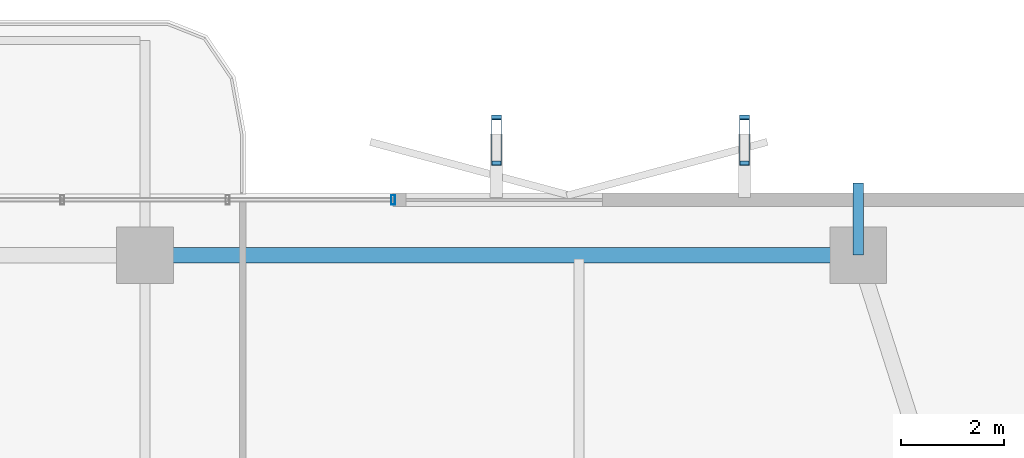
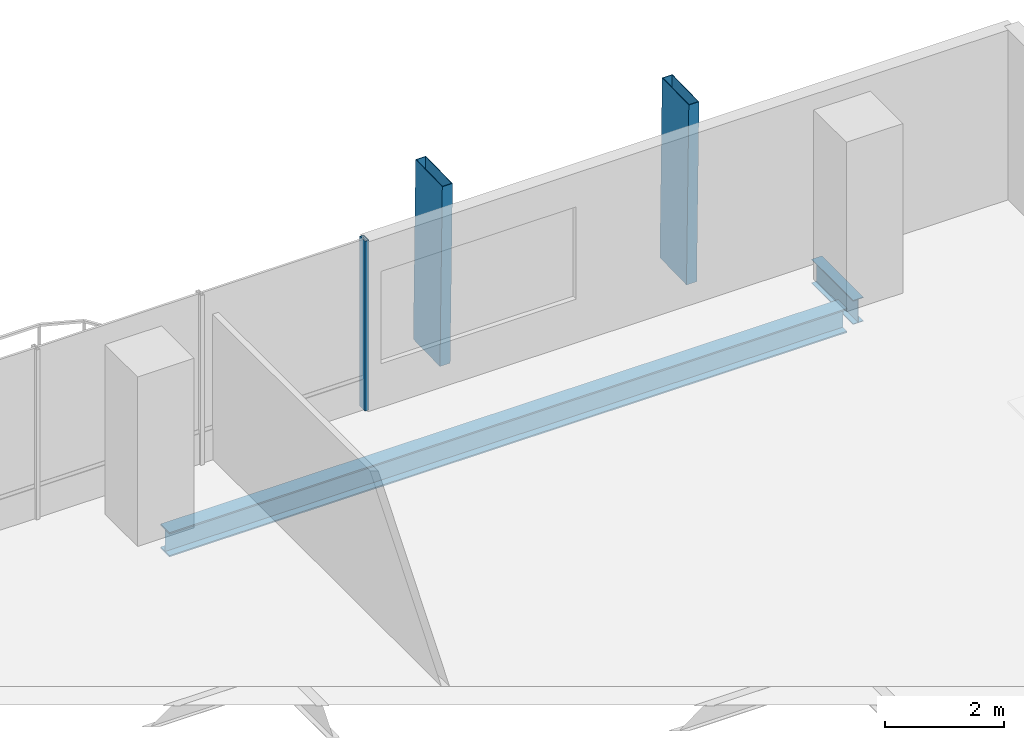
# One storey, part 16 of 24: 3 members, 2 beams, 1 element without a shape of its own.
"""IFC4 building model written with IfcOpenShell, lengths in metres."""

import ifcopenshell
import ifcopenshell.guid

model = None  # the IFC model being written
_history = None  # IfcOwnerHistory: only IFC2X3 demands one
_inside = {}  # id of a spatial element -> (the spatial element, [elements in it])
_under = {}  # id of a project, library or spatial element -> (it, [spatial elements below it])
_declared = {}  # id of a project -> (the project, [libraries it declares])
_typed = {}  # id of a type object -> (the type object, [elements of that type])
_made_of = {}  # id of a material, layer set ... -> (it, [elements and type objects made of it])


def new_model(schema):
    """Start an empty IFC model of exactly this schema.

    Asked for "IFC4X3", IfcOpenShell would pick the latest addendum, in which some entities
    have other attributes; the version numbers below select the first issue.
    IFC2X3 requires an IfcOwnerHistory on every rooted entity: one is made here for all.
    """
    global model, _history
    if schema == "IFC4X3":
        model = ifcopenshell.file(schema_version=(4, 3, 0, 0))
    else:
        model = ifcopenshell.file(schema=schema)
    _inside.clear()
    _under.clear()
    _declared.clear()
    _typed.clear()
    _made_of.clear()
    _history = None
    if model.schema == "IFC2X3":
        org = make("IfcOrganization", Name="unknown")
        user = make(
            "IfcPersonAndOrganization",
            ThePerson=make("IfcPerson", FamilyName="unknown"),
            TheOrganization=org,
        )
        app = make(
            "IfcApplication",
            ApplicationDeveloper=org,
            Version="unknown",
            ApplicationFullName="unknown",
            ApplicationIdentifier="unknown",
        )
        _history = make(
            "IfcOwnerHistory",
            OwningUser=user,
            OwningApplication=app,
            ChangeAction="ADDED",
            CreationDate=0,
        )
    return model


def make(cls, **values):
    """One entity of the class cls with the attributes given. An attribute that is None is left unset."""
    return model.create_entity(
        cls, **{name: value for name, value in values.items() if value is not None}
    )


def rooted(cls, **values):
    """An entity with a GlobalId (a new one), such as an element, a storey or a relation."""
    return make(cls, GlobalId=ifcopenshell.guid.new(), OwnerHistory=_history, **values)


def si_unit(unit_type, name, prefix=None):
    """IfcSIUnit, for example si_unit("LENGTHUNIT", "METRE", prefix="MILLI")."""
    return make("IfcSIUnit", UnitType=unit_type, Prefix=prefix, Name=name)


def assignment(units):
    """IfcUnitAssignment: the units of a project."""
    return None if units is None else make("IfcUnitAssignment", Units=units)


def point(xyz):
    """IfcCartesianPoint."""
    return None if xyz is None else make("IfcCartesianPoint", Coordinates=xyz)


def direction(xyz):
    """IfcDirection."""
    return None if xyz is None else make("IfcDirection", DirectionRatios=xyz)


def frame(location, z_axis=None, x_axis=None):
    """IfcAxis2Placement3D, a coordinate frame: its origin and axes. An axis left out is left unset."""
    return make(
        "IfcAxis2Placement3D",
        Location=point(location),
        Axis=direction(z_axis),
        RefDirection=direction(x_axis),
    )


def frame_2d(location, x_axis=None):
    """IfcAxis2Placement2D, a coordinate frame in the plane: its origin and x axis."""
    return make(
        "IfcAxis2Placement2D", Location=point(location), RefDirection=direction(x_axis)
    )


def origin():
    """The frame at (0, 0, 0) with its axes left unset."""
    return frame((0.0, 0.0, 0.0))


def origin_2d():
    """The frame at (0, 0) in the plane with its x axis left unset."""
    return frame_2d((0.0, 0.0))


def place(relative_to, where):
    """IfcLocalPlacement: puts the frame where relative to a parent placement (None: the world)."""
    return make(
        "IfcLocalPlacement", PlacementRelTo=relative_to, RelativePlacement=where
    )


def context(
    kind, dimensions, precision=None, world=None, true_north=None, identifier=None
):
    """IfcGeometricRepresentationContext, for example the 3D "Model" context."""
    return make(
        "IfcGeometricRepresentationContext",
        ContextIdentifier=identifier,
        ContextType=kind,
        CoordinateSpaceDimension=dimensions,
        Precision=precision,
        WorldCoordinateSystem=world,
        TrueNorth=true_north,
    )


def subcontext(parent, identifier, kind, view, scale=None):
    """IfcGeometricRepresentationSubContext, for example "Body" below "Model"."""
    return make(
        "IfcGeometricRepresentationSubContext",
        ContextIdentifier=identifier,
        ContextType=kind,
        ParentContext=parent,
        TargetScale=scale,
        TargetView=view,
    )


def project(units=None, contexts=None):
    """IfcProject with its units and contexts."""
    return rooted(
        "IfcProject",
        Name="project",
        RepresentationContexts=contexts,
        UnitsInContext=assignment(units),
    )


def spatial(cls, under=None, at=None, **own):
    """A site, building, storey or space (cls), placed at a placement, below another one or the project."""
    s = rooted(cls, ObjectPlacement=at, **own)
    if under is not None:
        _under.setdefault(under.id(), (under, []))[1].append(s)
    return s


def profile(cls, at=None, kind="AREA", **sizes):
    """A parametric profile (cls). Its sizes go by their IFC names, for example OverallWidth=200.0."""
    return make(cls, ProfileType=kind, Position=at, **sizes)


def hollow_rectangle(**sizes):
    """IfcRectangleHollowProfileDef."""
    return profile("IfcRectangleHollowProfileDef", **sizes)


def i_section(**sizes):
    """IfcIShapeProfileDef."""
    return profile("IfcIShapeProfileDef", **sizes)


def extrude(swept, where, along, depth):
    """IfcExtrudedAreaSolid: the profile swept, set in the frame where, extruded along a direction by depth."""
    return make(
        "IfcExtrudedAreaSolid",
        SweptArea=swept,
        Position=where,
        ExtrudedDirection=direction(along),
        Depth=depth,
    )


def shape(context_of_items, identifier, shape_type, items):
    """IfcShapeRepresentation: the items that make up one representation, for example the "Body"."""
    return make(
        "IfcShapeRepresentation",
        ContextOfItems=context_of_items,
        RepresentationIdentifier=identifier,
        RepresentationType=shape_type,
        Items=items,
    )


def material(Name=None, Category=None):
    """IfcMaterial."""
    return make("IfcMaterial", Name=Name, Category=Category)


def layer(
    of_material, thickness, ventilated=None, Name=None, Category=None, Priority=None
):
    """IfcMaterialLayer: one layer of a wall or slab, of a material (None: an air gap)."""
    return make(
        "IfcMaterialLayer",
        Material=of_material,
        LayerThickness=thickness,
        IsVentilated=ventilated,
        Name=Name,
        Category=Category,
        Priority=Priority,
    )


def layer_set(layers, Name=None):
    """IfcMaterialLayerSet."""
    return make("IfcMaterialLayerSet", MaterialLayers=layers, LayerSetName=Name)


def material_profile(
    of_material, cross_section, Name=None, Category=None, Priority=None
):
    """IfcMaterialProfile: a cross section and its material."""
    return make(
        "IfcMaterialProfile",
        Name=Name,
        Material=of_material,
        Profile=cross_section,
        Priority=Priority,
        Category=Category,
    )


def profile_set(profiles, Name=None, composite=None):
    """IfcMaterialProfileSet."""
    return make(
        "IfcMaterialProfileSet",
        Name=Name,
        MaterialProfiles=profiles,
        CompositeProfile=composite,
    )


def made_of(thing, what):
    """Note that an element or type object is made of a material, layer set ...; save() writes the relation."""
    if what is not None:
        _made_of.setdefault(what.id(), (what, []))[1].append(thing)
    return thing


def type_object(cls, material=None, **own):
    """A type object (cls), such as IfcWallType, which elements share."""
    return made_of(rooted(cls, **own), material)


def element(
    cls,
    number,
    at=None,
    inside=None,
    cuts=None,
    type_object=None,
    material=None,
    context=None,
    identifier="Body",
    shape_type=None,
    held_by="IfcProductDefinitionShape",
    body=None,
    shapes=None,
    **own,
):
    """One element of the class cls, such as IfcWall. Its Tag is "e" and its number.

    at: its placement. inside: the storey or other place that contains it. cuts: it is an
    opening in that element (IfcRelVoidsElement). A single representation is given by context,
    identifier, shape_type and body (its items); several are given by shapes. held_by: the class
    of the entity that holds the representations. save() writes the other relations.
    """
    e = rooted(cls, Tag="e%d" % number, ObjectPlacement=at, **own)
    if body is not None:
        shapes = [shape(context, identifier, shape_type, body)]
    if shapes is not None:
        e.Representation = make(held_by, Representations=shapes)
    if inside is not None:
        _inside.setdefault(inside.id(), (inside, []))[1].append(e)
    if cuts is not None:
        rooted(
            "IfcRelVoidsElement", RelatingBuildingElement=cuts, RelatedOpeningElement=e
        )
    if type_object is not None:
        _typed.setdefault(type_object.id(), (type_object, []))[1].append(e)
    return made_of(e, material)


def aggregate(whole, parts):
    """IfcRelAggregates: a whole, such as a stair, and the parts it consists of."""
    return rooted("IfcRelAggregates", RelatingObject=whole, RelatedObjects=parts)


def save(model, path):
    """Write the relations noted so far, then the file.

    IfcRelAggregates (storeys below a building ...), IfcRelContainedInSpatialStructure (elements
    in a storey), IfcRelDefinesByType, IfcRelAssociatesMaterial and IfcRelDeclares: one each for
    every whole, place, type object, material and project.
    """
    for whole, parts in _under.values():
        aggregate(whole, parts)
    for where, things in _inside.values():
        rooted(
            "IfcRelContainedInSpatialStructure",
            RelatedElements=things,
            RelatingStructure=where,
        )
    for kind, things in _typed.values():
        rooted("IfcRelDefinesByType", RelatedObjects=things, RelatingType=kind)
    for what, things in _made_of.values():
        rooted("IfcRelAssociatesMaterial", RelatedObjects=things, RelatingMaterial=what)
    for by, libraries in _declared.values():
        rooted("IfcRelDeclares", RelatingContext=by, RelatedDefinitions=libraries)
    model.write(path)


model = new_model("IFC4")

# Units and contexts
model_context = context("Model", 3, precision=1e-05, world=origin(), true_north=direction((0.0, 1.0)))
body_context = subcontext(model_context, "Body", "Model", "MODEL_VIEW")
ifc_project = project(units=[si_unit("LENGTHUNIT", "METRE"), si_unit("AREAUNIT", "SQUARE_METRE"), si_unit("VOLUMEUNIT", "CUBIC_METRE"), si_unit("PLANEANGLEUNIT", "RADIAN"), si_unit("MASSUNIT", "GRAM", prefix="KILO")], contexts=[model_context])

# Site, building, storey
site_placement = place(None, origin())
site = spatial("IfcSite", under=ifc_project, at=site_placement, CompositionType="ELEMENT")
building_placement = place(site_placement, origin())
building = spatial("IfcBuilding", under=site, at=building_placement, Name="Belovzor Exchange Tower", CompositionType="ELEMENT")
storey_placement = place(building_placement, frame((0.0, 0.0, 168.300048828125)))
storey = spatial("IfcBuildingStorey", under=building, at=storey_placement, Name="L41", CompositionType="ELEMENT", Elevation=168.300048828125)

# Beam
ifc_material_1 = material(Name="Steel S355", Category="steel")
ifc_material_profile_1 = material_profile(ifc_material_1, i_section(OverallWidth=0.199951171875, OverallDepth=0.5, WebThickness=0.01025390625, FlangeThickness=0.01611328125, at=origin_2d()))
ifc_profile_set_1 = profile_set([ifc_material_profile_1], Name="Steel S355")
beam_type_1 = type_object("IfcBeamType", Name="Planted Balcony Cantilever Beam IPE 500", PredefinedType="BEAM", material=ifc_profile_set_1)
beam_1_placement = place(storey_placement, frame((42.60009765625, 51.89990234375, -0.505126953125), z_axis=(0.0, 1.0, 0.0), x_axis=(-1.0, 0.0, 0.0)))
element("IfcBeam", 1, at=beam_1_placement, inside=storey, type_object=beam_type_1, Name="BC-500 Planted Balcony Cantilever Beam IPE 500", PredefinedType="BEAM", context=body_context, shape_type="SweptSolid", body=[
    extrude(i_section(OverallWidth=0.199951171875, OverallDepth=0.5, WebThickness=0.01025390625, FlangeThickness=0.01611328125, at=origin_2d()), origin(), (0.0, 0.0, 1.0), 1.400146484375),
])

# Members
ifc_material_2 = material(Name="Extruded Architectural Terracotta on Steel S355 Carrier", Category="masonry")
ifc_material_profile_2 = material_profile(ifc_material_2, hollow_rectangle(XDim=0.199951171875, YDim=0.89990234375, WallThickness=0.011962890625, at=origin_2d()))
ifc_profile_set_2 = profile_set([ifc_material_profile_2], Name="Extruded Architectural Terracotta on Steel S355 Carrier")
member_type_1 = type_object("IfcMemberType", Name="Sweeping Terracotta Baguette Fin Assembly 1250", PredefinedType="USERDEFINED", material=ifc_profile_set_2)
for number, where, z_axis, x_axis, name in (
    (2, (35.60009765625, 54.159912109375, -0.255126953125), (0.0, -0.0210239979, 0.999778971329), (1.0, 0.0, 0.0), "FIN-TC125 Terracotta Facade Fin L41 N3"),
    (3, (40.39990234375, 54.159912109375, -0.255126953125), (0.0, -0.0210239979, 0.999778971329), (1.0, 0.0, 0.0), "FIN-TC125 Terracotta Facade Fin L41 N4"),
):
    element("IfcMember", number, at=place(storey_placement, frame(where, z_axis=z_axis, x_axis=x_axis)), inside=storey, type_object=member_type_1, Name=name, ObjectType="FIN", PredefinedType="USERDEFINED", context=body_context, shape_type="SweptSolid", body=[
        extrude(hollow_rectangle(XDim=0.199951171875, YDim=0.89990234375, WallThickness=0.011962890625, at=origin_2d()), origin(), (0.0, 0.0, 1.0), 3.750732421875),
    ])

# Curtain wall, member
ifc_material_3 = material(Name="Anodised Aluminium Framing", Category="aluminium")
ifc_layer = layer(ifc_material_3, 0.179931640625)
ifc_layer_set = layer_set([ifc_layer], Name="Anodised Aluminium Framing")
curtain_wall_type = type_object("IfcCurtainWallType", Name="Recessed Loggia Low-Iron Triple-Glazed Curtain Wall", PredefinedType="NOTDEFINED", material=ifc_layer_set)
curtain_wall_placement = place(storey_placement, origin())
curtain_wall = element("IfcCurtainWall", 4, at=curtain_wall_placement, inside=storey, type_object=curtain_wall_type, Name="CW3 Recessed Loggia Low-Iron Triple-Glazed Curtain Wall L41", PredefinedType="NOTDEFINED")
ifc_material_4 = material(Name="Steel S355", Category="steel")
ifc_material_profile_3 = material_profile(ifc_material_4, hollow_rectangle(XDim=0.074951171875, YDim=0.179931640625, WallThickness=0.0048828125, at=origin_2d()))
ifc_profile_set_3 = profile_set([ifc_material_profile_3], Name="Steel S355")
member_type_2 = type_object("IfcMemberType", Name="Thermally Broken Curtain Wall Mullion 180x75", PredefinedType="MULLION", material=ifc_profile_set_3)
member_placement = place(storey_placement, frame((33.60009765625, 52.969970703125, 0.0), z_axis=(0.0, 0.0, 1.0), x_axis=(1.0, 0.0, 0.0)))
member = element("IfcMember", 5, at=member_placement, type_object=member_type_2, Name="CW-M180 Curtain Wall Mullion 4", PredefinedType="MULLION", context=body_context, shape_type="SweptSolid", body=[
    extrude(hollow_rectangle(XDim=0.074951171875, YDim=0.179931640625, WallThickness=0.0048828125, at=origin_2d()), origin(), (0.0, 0.0, 1.0), 3.494873046875),
])
aggregate(curtain_wall, [member])

# Beam
ifc_material_5 = material(Name="Steel S355", Category="steel")
ifc_material_profile_4 = material_profile(ifc_material_5, i_section(OverallWidth=0.300048828125, OverallDepth=0.5, WebThickness=0.014404296875, FlangeThickness=0.028076171875, at=origin_2d()))
ifc_profile_set_4 = profile_set([ifc_material_profile_4], Name="Steel S355")
beam_type_2 = type_object("IfcBeamType", Name="Zone 3 Waist Primary Girder HEB 500", PredefinedType="BEAM", material=ifc_profile_set_4)
beam_2_placement = place(storey_placement, frame((42.297119140625, 51.89990234375, -0.505126953125), z_axis=(-1.0, 0.0, 0.0), x_axis=(0.0, -1.0, 0.0)))
element("IfcBeam", 6, at=beam_2_placement, inside=storey, type_object=beam_type_2, Name="FG-Z3 Zone 3 Waist Primary Girder HEB 500", PredefinedType="BEAM", context=body_context, shape_type="SweptSolid", body=[
    extrude(i_section(OverallWidth=0.300048828125, OverallDepth=0.5, WebThickness=0.014404296875, FlangeThickness=0.028076171875, at=origin_2d()), origin(), (0.0, 0.0, 1.0), 13.195068359375),
])

save(model, "model.ifc")
